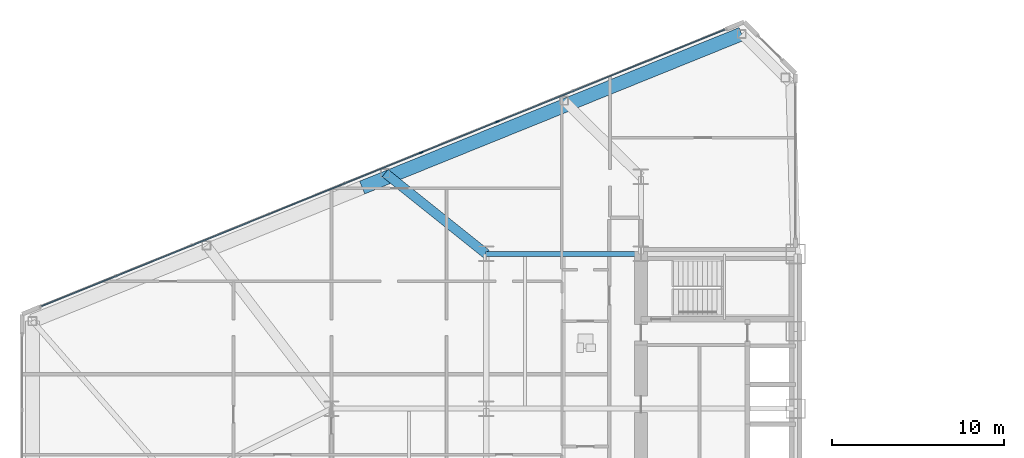
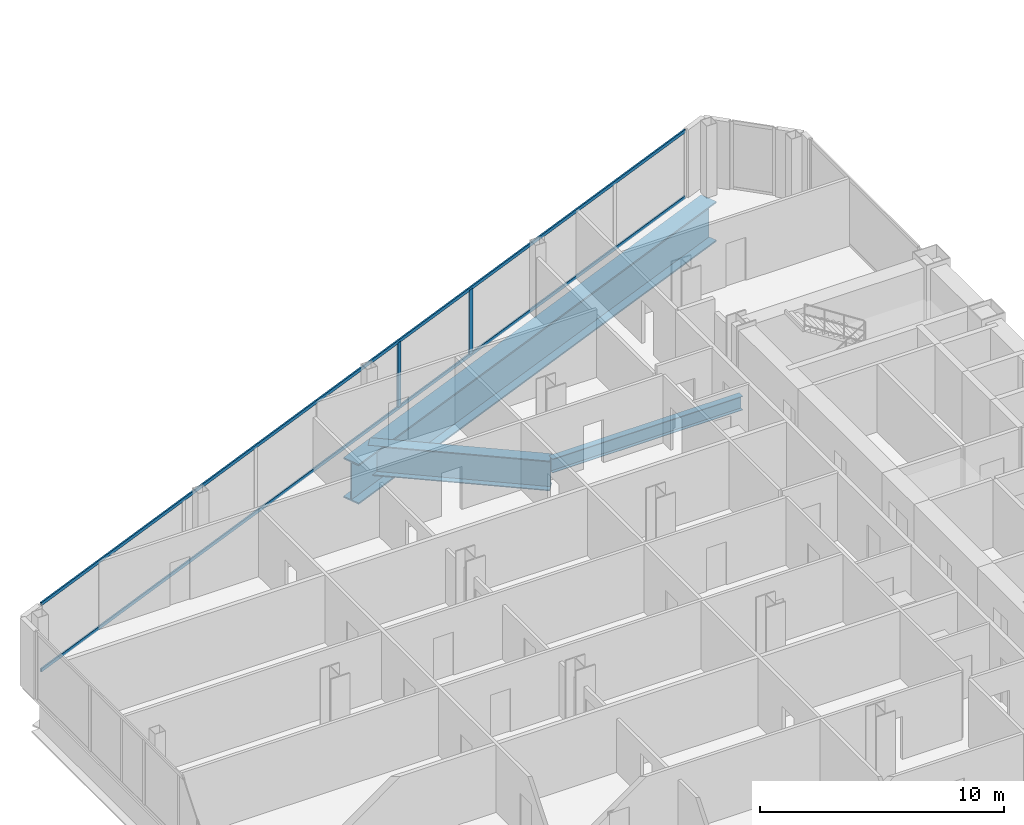
# One storey, part 8 of 26: 4 members, 3 beams, 1 element without a shape of its own.
"""IFC4 building model written with IfcOpenShell, lengths in metres."""

from ifc_helpers import new_model, si_unit, direction, frame, origin, origin_2d, place, context, subcontext, project, spatial, rectangle, i_section, extrude, source, transform, mapped, material, layer, layer_set, material_profile, profile_set, type_object, type_shapes, element, aggregate, save


model = new_model("IFC4")

# Units and contexts
model_context = context("Model", 3, precision=1e-05, world=origin(), true_north=direction((0.0, 1.0)))
body_context = subcontext(model_context, "Body", "Model", "MODEL_VIEW")
ifc_project = project(units=[si_unit("LENGTHUNIT", "METRE"), si_unit("AREAUNIT", "SQUARE_METRE"), si_unit("VOLUMEUNIT", "CUBIC_METRE"), si_unit("PLANEANGLEUNIT", "RADIAN"), si_unit("MASSUNIT", "GRAM", prefix="KILO")], contexts=[model_context])

# Site, building, storey
site_placement = place(None, origin())
site = spatial("IfcSite", under=ifc_project, at=site_placement, CompositionType="ELEMENT")
building_placement = place(site_placement, origin())
building = spatial("IfcBuilding", under=site, at=building_placement, Name="Seokmaru Belvedere", CompositionType="ELEMENT")
storey_placement = place(building_placement, frame((0.0, 0.0, 18.89990234375)))
storey = spatial("IfcBuildingStorey", under=building, at=storey_placement, Name="L04", CompositionType="ELEMENT", Elevation=18.89990234375)

# Beams
ifc_material_1 = material(Name="Steel SM355 (355 MPa)", Category="steel")
ifc_material_profile_1 = material_profile(ifc_material_1, i_section(OverallWidth=0.300048828125, OverallDepth=0.699951171875, WebThickness=0.012939453125, FlangeThickness=0.02392578125, at=origin_2d()), Name="H-700x300x13x24")
ifc_profile_set_1 = profile_set([ifc_material_profile_1], Name="Steel SM355 (355 MPa)")
beam_type_1 = type_object("IfcBeamType", Name="Primary Floor Girder H-700", PredefinedType="BEAM", material=ifc_profile_set_1)
shared_shape_1 = source(origin(), body_context, "Body", "SweptSolid", [
    extrude(i_section(OverallWidth=0.300048828125, OverallDepth=0.699951171875, WebThickness=0.012939453125, FlangeThickness=0.02392578125, at=origin_2d()), origin(), (0.0, 0.0, 1.0), 9.0),
])
type_shapes(beam_type_1, [shared_shape_1])
beam_1_placement = place(storey_placement, frame((-45.5, 13.5, -0.56982421875), z_axis=(1.0, 0.0, 0.0), x_axis=(0.0, 1.0, 0.0)))
element("IfcBeam", 1, at=beam_1_placement, inside=storey, type_object=beam_type_1, Name="L04 W Wing Primary Girder 4", PredefinedType="BEAM", context=body_context, shape_type="MappedRepresentation", body=[
    mapped(shared_shape_1, transform((0.0, 0.0, 0.0), scale=1.0)),
])
ifc_material_2 = material(Name="Steel HSA650 (650 MPa)", Category="steel")
ifc_material_profile_2 = material_profile(ifc_material_2, i_section(OverallWidth=0.800048828125, OverallDepth=2.0, WebThickness=0.0400390625, FlangeThickness=0.070068359375, at=origin_2d()), Name="BH-2000x800x40x70")
ifc_profile_set_2 = profile_set([ifc_material_profile_2], Name="Steel HSA650 (650 MPa)")
beam_type_2 = type_object("IfcBeamType", Name="Sky-Gate Transfer Truss Chord Girder BH-2000", PredefinedType="BEAM", material=ifc_profile_set_2)
shared_shape_2 = source(origin(), body_context, "Body", "SweptSolid", [
    extrude(i_section(OverallWidth=0.800048828125, OverallDepth=2.0, WebThickness=0.0400390625, FlangeThickness=0.070068359375, at=origin_2d()), origin(), (0.0, 0.0, 1.0), 23.811767578125),
])
type_shapes(beam_type_2, [shared_shape_2])
beam_2_placement = place(storey_placement, frame((-30.643310546875, 26.294677734375, -1.219970703125), z_axis=(-0.92694579442, -0.375195274766, 0.0), x_axis=(0.375195274766, -0.92694579442, 0.0)))
element("IfcBeam", 2, at=beam_2_placement, inside=storey, type_object=beam_type_2, Name="L04 W Podium Flank Transfer Girder N-A", PredefinedType="BEAM", context=body_context, shape_type="MappedRepresentation", body=[
    mapped(shared_shape_2, transform((0.0, 0.0, 0.0), scale=1.0)),
])
ifc_material_profile_3 = material_profile(ifc_material_2, i_section(OverallWidth=0.550048828125, OverallDepth=1.5, WebThickness=0.028076171875, FlangeThickness=0.044921875, at=origin_2d()), Name="BH-1500x550x28x45")
ifc_profile_set_3 = profile_set([ifc_material_profile_3], Name="Steel HSA650 (650 MPa)")
beam_type_3 = type_object("IfcBeamType", Name="Setback Transfer Girder BH-1500", PredefinedType="BEAM", material=ifc_profile_set_3)
shared_shape_3 = source(origin(), body_context, "Body", "SweptSolid", [
    extrude(i_section(OverallWidth=0.550048828125, OverallDepth=1.5, WebThickness=0.028076171875, FlangeThickness=0.044921875, at=origin_2d()), origin(), (0.0, 0.0, 1.0), 7.52880859375),
])
type_shapes(beam_type_3, [shared_shape_3])
beam_3_placement = place(storey_placement, frame((-51.378173828125, 18.2041015625, -0.969970703125), z_axis=(0.780767560736, -0.624821587418, 0.0), x_axis=(0.624821587418, 0.780767560736, 0.0)))
element("IfcBeam", 3, at=beam_3_placement, inside=storey, type_object=beam_type_3, Name="L04 W Flank Radial Floor Girder N-2", PredefinedType="BEAM", context=body_context, shape_type="MappedRepresentation", body=[
    mapped(shared_shape_3, transform((0.0, 0.0, 0.0), scale=1.0)),
])

# Curtain wall, members
ifc_material_3 = material(Name="Bronze Triple Insulating Glass", Category="glass")
ifc_layer = layer(ifc_material_3, 0.2099609375)
ifc_layer_set = layer_set([ifc_layer], Name="Bronze Triple Insulating Glass")
curtain_wall_type = type_object("IfcCurtainWallType", Name="Low-Rise Faceted Crystal Curtain Wall System CW-2", PredefinedType="NOTDEFINED", material=ifc_layer_set)
curtain_wall_placement = place(storey_placement, origin())
curtain_wall = element("IfcCurtainWall", 4, at=curtain_wall_placement, inside=storey, type_object=curtain_wall_type, Name="L04 Curtain Wall WF3", PredefinedType="NOTDEFINED")
ifc_material_4 = material(Name="Anodised Bronze Aluminium", Category="aluminium")
ifc_material_profile_4 = material_profile(ifc_material_4, rectangle(XDim=0.074951171875, YDim=0.2099609375, at=origin_2d()), Name="CW-M-75x210")
ifc_profile_set_4 = profile_set([ifc_material_profile_4], Name="Anodised Bronze Aluminium")
member_type_1 = type_object("IfcMemberType", Name="Bronze Unitised Mullion 75x210", PredefinedType="MULLION", material=ifc_profile_set_4)
shared_shape_4 = source(origin(), body_context, "Body", "SweptSolid", [
    extrude(rectangle(XDim=0.074951171875, YDim=0.2099609375, at=origin_2d()), origin(), (0.0, 0.0, 1.0), 3.239990234375),
])
type_shapes(member_type_1, [shared_shape_4])
member_1_placement = place(storey_placement, frame((-44.855224609375, 21.189453125, 0.070068359375), z_axis=(0.0, 0.0, 1.0), x_axis=(0.375192321888, -0.926946989637, 0.0)))
member_1 = element("IfcMember", 5, at=member_1_placement, type_object=member_type_1, Name="CW:L04:WF3 Mullion 4", PredefinedType="MULLION", context=body_context, shape_type="MappedRepresentation", body=[
    mapped(shared_shape_4, transform((0.0, 0.0, 0.0), scale=1.0)),
])
member_2_placement = place(storey_placement, frame((-49.28515625, 19.396484375, 0.070068359375), z_axis=(0.0, 0.0, 1.0), x_axis=(0.375192321888, -0.926946989637, 0.0)))
member_2 = element("IfcMember", 6, at=member_2_placement, type_object=member_type_1, Name="CW:L04:WF3 Mullion 5", PredefinedType="MULLION", context=body_context, shape_type="MappedRepresentation", body=[
    mapped(shared_shape_4, transform((0.0, 0.0, 0.0), scale=1.0)),
])
ifc_material_profile_5 = material_profile(ifc_material_4, rectangle(XDim=0.070068359375, YDim=0.1650390625, at=origin_2d()), Name="CW-T-70x165")
ifc_profile_set_5 = profile_set([ifc_material_profile_5], Name="Anodised Bronze Aluminium")
member_type_2 = type_object("IfcMemberType", Name="Bronze Unitised Transom 70x165", PredefinedType="USERDEFINED", material=ifc_profile_set_5)
shared_shape_5 = source(origin(), body_context, "Body", "SweptSolid", [
    extrude(rectangle(XDim=0.070068359375, YDim=0.1650390625, at=origin_2d()), origin(), (0.0, 0.0, 1.0), 42.860107421875),
])
type_shapes(member_type_2, [shared_shape_5])
member_3_placement = place(storey_placement, frame((-31.635498046875, 26.540283203125, 0.03515625), z_axis=(-0.926948605599, -0.375188329481, 0.0), x_axis=(0.375188329481, -0.926948605599, 0.0)))
member_3 = element("IfcMember", 7, at=member_3_placement, type_object=member_type_2, Name="CW:L04:WF3 Continuous Transom 1", ObjectType="TRANSOM", PredefinedType="USERDEFINED", context=body_context, shape_type="MappedRepresentation", body=[
    mapped(shared_shape_5, transform((0.0, 0.0, 0.0), scale=1.0)),
])
member_4_placement = place(storey_placement, frame((-31.635498046875, 26.540283203125, 3.34521484375), z_axis=(-0.926948605599, -0.375188329481, 0.0), x_axis=(0.375188329481, -0.926948605599, 0.0)))
member_4 = element("IfcMember", 8, at=member_4_placement, type_object=member_type_2, Name="CW:L04:WF3 Continuous Transom 2", ObjectType="TRANSOM", PredefinedType="USERDEFINED", context=body_context, shape_type="MappedRepresentation", body=[
    mapped(shared_shape_5, transform((0.0, 0.0, 0.0), scale=1.0)),
])
aggregate(curtain_wall, [member_1, member_2, member_3, member_4])

save(model, "model.ifc")
